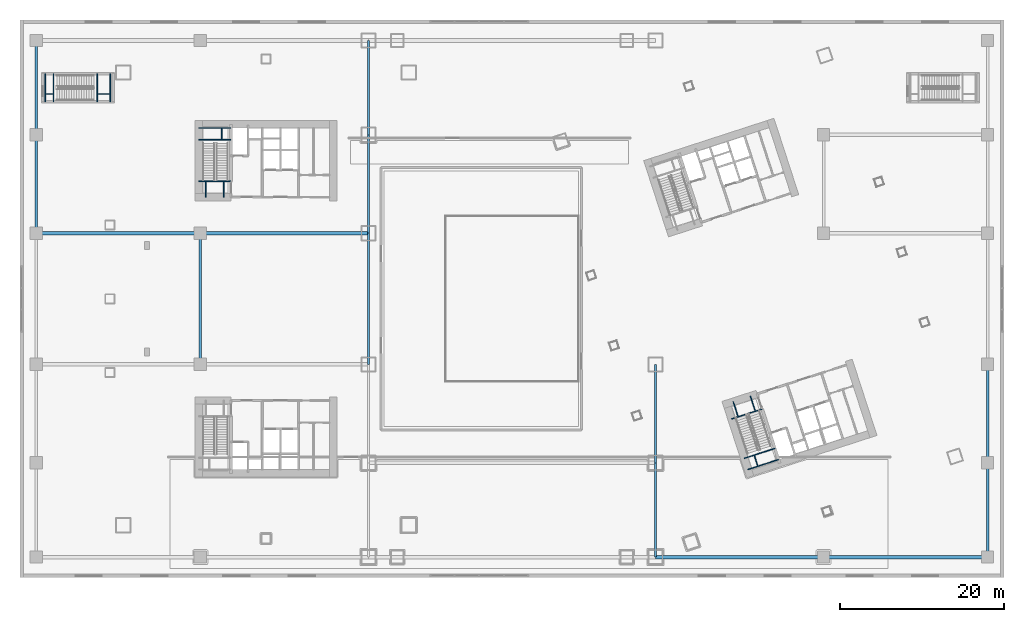
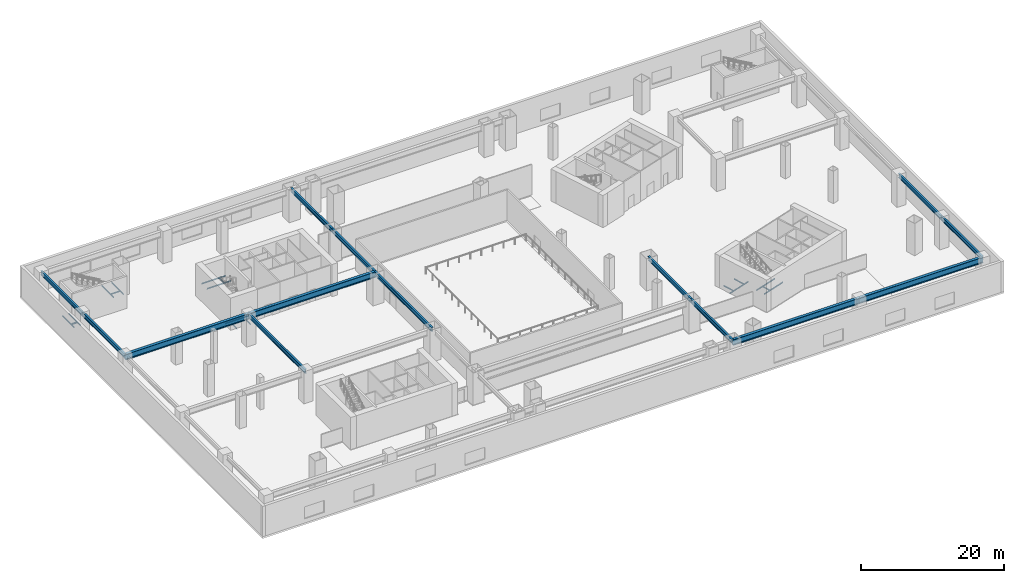
# One storey, part 13 of 35: 32 beams.
"""IFC4 building model written with IfcOpenShell, lengths in metres."""

from ifc_helpers import new_model, si_unit, direction, frame, origin, origin_2d, place, context, subcontext, project, spatial, i_section, extrude, material, material_profile, profile_set, type_object, element, save


model = new_model("IFC4")

# Units and contexts
model_context = context("Model", 3, precision=1e-05, world=origin(), true_north=direction((0.0, 1.0)))
body_context = subcontext(model_context, "Body", "Model", "MODEL_VIEW")
ifc_project = project(units=[si_unit("LENGTHUNIT", "METRE"), si_unit("AREAUNIT", "SQUARE_METRE"), si_unit("VOLUMEUNIT", "CUBIC_METRE"), si_unit("PLANEANGLEUNIT", "RADIAN"), si_unit("MASSUNIT", "GRAM", prefix="KILO")], contexts=[model_context])

# Site, building, storey
site_placement = place(None, origin())
site = spatial("IfcSite", under=ifc_project, at=site_placement, CompositionType="ELEMENT")
building_placement = place(site_placement, origin())
building = spatial("IfcBuilding", under=site, at=building_placement, Name="Qiaolan Cultural Towers", CompositionType="ELEMENT")
storey_placement = place(building_placement, frame((0.0, 0.0, 6.0)))
storey = spatial("IfcBuildingStorey", under=building, at=storey_placement, Name="L01", CompositionType="ELEMENT", Elevation=6.0)

# Beams
ifc_material_1 = material(Name="Steel Q390GJB", Category="steel")
ifc_material_profile_1 = material_profile(ifc_material_1, i_section(OverallWidth=0.449951171875, OverallDepth=1.0, WebThickness=0.02392578125, FlangeThickness=0.0400390625, at=origin_2d()), Name="BH1000x450x24x40")
ifc_profile_set_1 = profile_set([ifc_material_profile_1], Name="Steel Q390GJB")
beam_type_1 = type_object("IfcBeamType", Name="BM-BH1000x450x24x40", PredefinedType="BEAM", material=ifc_profile_set_1)
beam_1_placement = place(storey_placement, frame((77.5, 2.5, 4.699951171875), z_axis=(1.0, 0.0, 0.0), x_axis=(0.0, 1.0, 0.0)))
element("IfcBeam", 1, at=beam_1_placement, inside=storey, type_object=beam_type_1, Name="L01 Podium Primary Girder Y=2.5", PredefinedType="BEAM", context=body_context, shape_type="SweptSolid", body=[
    extrude(i_section(OverallWidth=0.449951171875, OverallDepth=1.0, WebThickness=0.02392578125, FlangeThickness=0.0400390625, at=origin_2d()), origin(), (0.0, 0.0, 1.0), 20.5),
])
for number, where, z_axis, x_axis, name in (
    (2, (98.0, 2.5, 4.699951171875), (1.0, 0.0, 0.0), (0.0, 1.0, 0.0), "L01 Podium Primary Girder Y=2.5"),
    (3, (2.0, 42.0, 4.699951171875), (1.0, 0.0, 0.0), (0.0, 1.0, 0.0), "L01 Podium Primary Girder Y=42.0"),
):
    element("IfcBeam", number, at=place(storey_placement, frame(where, z_axis=z_axis, x_axis=x_axis)), inside=storey, type_object=beam_type_1, Name=name, PredefinedType="BEAM", context=body_context, shape_type="SweptSolid", body=[
        extrude(i_section(OverallWidth=0.449951171875, OverallDepth=1.0, WebThickness=0.02392578125, FlangeThickness=0.0400390625, at=origin_2d()), origin(), (0.0, 0.0, 1.0), 20.0),
    ])
beam_2_placement = place(storey_placement, frame((22.0, 42.0, 4.699951171875), z_axis=(1.0, 0.0, 0.0), x_axis=(0.0, 1.0, 0.0)))
element("IfcBeam", 4, at=beam_2_placement, inside=storey, type_object=beam_type_1, Name="L01 Podium Primary Girder Y=42.0", PredefinedType="BEAM", context=body_context, shape_type="SweptSolid", body=[
    extrude(i_section(OverallWidth=0.449951171875, OverallDepth=1.0, WebThickness=0.02392578125, FlangeThickness=0.0400390625, at=origin_2d()), origin(), (0.0, 0.0, 1.0), 20.5),
])
ifc_material_2 = material(Name="Steel Q355B", Category="steel")
ifc_material_profile_2 = material_profile(ifc_material_2, i_section(OverallWidth=0.300048828125, OverallDepth=0.699951171875, WebThickness=0.012939453125, FlangeThickness=0.02392578125, at=origin_2d()), Name="HN700x300x13x24")
ifc_profile_set_2 = profile_set([ifc_material_profile_2], Name="Steel Q355B")
beam_type_2 = type_object("IfcBeamType", Name="BM-HN700x300x13x24", PredefinedType="BEAM", material=ifc_profile_set_2)
beam_3_placement = place(storey_placement, frame((2.0, 42.0, 4.85009765625), z_axis=(0.0, 1.0, 0.0), x_axis=(-1.0, 0.0, 0.0)))
element("IfcBeam", 5, at=beam_3_placement, inside=storey, type_object=beam_type_2, Name="L01 Podium Transverse Beam X=2.0", PredefinedType="BEAM", context=body_context, shape_type="SweptSolid", body=[
    extrude(i_section(OverallWidth=0.300048828125, OverallDepth=0.699951171875, WebThickness=0.012939453125, FlangeThickness=0.02392578125, at=origin_2d()), origin(), (0.0, 0.0, 1.0), 12.0),
])
beam_4_placement = place(storey_placement, frame((2.0, 54.0, 4.85009765625), z_axis=(0.0, 1.0, 0.0), x_axis=(-1.0, 0.0, 0.0)))
element("IfcBeam", 6, at=beam_4_placement, inside=storey, type_object=beam_type_2, Name="L01 Podium Transverse Beam X=2.0", PredefinedType="BEAM", context=body_context, shape_type="SweptSolid", body=[
    extrude(i_section(OverallWidth=0.300048828125, OverallDepth=0.699951171875, WebThickness=0.012939453125, FlangeThickness=0.02392578125, at=origin_2d()), origin(), (0.0, 0.0, 1.0), 11.5),
])
for number, where, z_axis, x_axis, name in (
    (7, (22.0, 26.0, 4.85009765625), (0.0, 1.0, 0.0), (-1.0, 0.0, 0.0), "L01 Podium Transverse Beam X=22.0"),
    (8, (42.5, 26.0, 4.85009765625), (0.0, 1.0, 0.0), (-1.0, 0.0, 0.0), "L01 Podium Transverse Beam X=42.5"),
):
    element("IfcBeam", number, at=place(storey_placement, frame(where, z_axis=z_axis, x_axis=x_axis)), inside=storey, type_object=beam_type_2, Name=name, PredefinedType="BEAM", context=body_context, shape_type="SweptSolid", body=[
        extrude(i_section(OverallWidth=0.300048828125, OverallDepth=0.699951171875, WebThickness=0.012939453125, FlangeThickness=0.02392578125, at=origin_2d()), origin(), (0.0, 0.0, 1.0), 16.0),
    ])
beam_5_placement = place(storey_placement, frame((42.5, 42.0, 4.85009765625), z_axis=(0.0, 1.0, 0.0), x_axis=(-1.0, 0.0, 0.0)))
element("IfcBeam", 9, at=beam_5_placement, inside=storey, type_object=beam_type_2, Name="L01 Podium Transverse Beam X=42.5", PredefinedType="BEAM", context=body_context, shape_type="SweptSolid", body=[
    extrude(i_section(OverallWidth=0.300048828125, OverallDepth=0.699951171875, WebThickness=0.012939453125, FlangeThickness=0.02392578125, at=origin_2d()), origin(), (0.0, 0.0, 1.0), 12.0),
])
for number, where, z_axis, x_axis, name in (
    (10, (42.5, 54.0, 4.85009765625), (0.0, 1.0, 0.0), (-1.0, 0.0, 0.0), "L01 Podium Transverse Beam X=42.5"),
    (11, (77.5, 2.5, 4.85009765625), (0.0, 1.0, 0.0), (-1.0, 0.0, 0.0), "L01 Podium Transverse Beam X=77.5"),
):
    element("IfcBeam", number, at=place(storey_placement, frame(where, z_axis=z_axis, x_axis=x_axis)), inside=storey, type_object=beam_type_2, Name=name, PredefinedType="BEAM", context=body_context, shape_type="SweptSolid", body=[
        extrude(i_section(OverallWidth=0.300048828125, OverallDepth=0.699951171875, WebThickness=0.012939453125, FlangeThickness=0.02392578125, at=origin_2d()), origin(), (0.0, 0.0, 1.0), 11.5),
    ])
beam_6_placement = place(storey_placement, frame((77.5, 14.0, 4.85009765625), z_axis=(0.0, 1.0, 0.0), x_axis=(-1.0, 0.0, 0.0)))
element("IfcBeam", 12, at=beam_6_placement, inside=storey, type_object=beam_type_2, Name="L01 Podium Transverse Beam X=77.5", PredefinedType="BEAM", context=body_context, shape_type="SweptSolid", body=[
    extrude(i_section(OverallWidth=0.300048828125, OverallDepth=0.699951171875, WebThickness=0.012939453125, FlangeThickness=0.02392578125, at=origin_2d()), origin(), (0.0, 0.0, 1.0), 12.0),
])
beam_7_placement = place(storey_placement, frame((118.0, 2.5, 4.85009765625), z_axis=(0.0, 1.0, 0.0), x_axis=(-1.0, 0.0, 0.0)))
element("IfcBeam", 13, at=beam_7_placement, inside=storey, type_object=beam_type_2, Name="L01 Podium Transverse Beam X=118.0", PredefinedType="BEAM", context=body_context, shape_type="SweptSolid", body=[
    extrude(i_section(OverallWidth=0.300048828125, OverallDepth=0.699951171875, WebThickness=0.012939453125, FlangeThickness=0.02392578125, at=origin_2d()), origin(), (0.0, 0.0, 1.0), 11.5),
])
beam_8_placement = place(storey_placement, frame((118.0, 14.0, 4.85009765625), z_axis=(0.0, 1.0, 0.0), x_axis=(-1.0, 0.0, 0.0)))
element("IfcBeam", 14, at=beam_8_placement, inside=storey, type_object=beam_type_2, Name="L01 Podium Transverse Beam X=118.0", PredefinedType="BEAM", context=body_context, shape_type="SweptSolid", body=[
    extrude(i_section(OverallWidth=0.300048828125, OverallDepth=0.699951171875, WebThickness=0.012939453125, FlangeThickness=0.02392578125, at=origin_2d()), origin(), (0.0, 0.0, 1.0), 12.0),
])
ifc_material_3 = material(Name="Steel Q355B", Category="steel")
ifc_material_profile_3 = material_profile(ifc_material_3, i_section(OverallWidth=0.10009765625, OverallDepth=0.199951171875, WebThickness=0.005615234375, FlangeThickness=0.008056640625, at=origin_2d()), Name="HN200x100x5.5x8")
ifc_profile_set_3 = profile_set([ifc_material_profile_3], Name="Steel Q355B")
beam_type_3 = type_object("IfcBeamType", Name="BM-STTRIM-200", PredefinedType="BEAM", material=ifc_profile_set_3)
beam_9_placement = place(storey_placement, frame((21.800048828125, 48.340087890625, -0.4599609375), z_axis=(1.0, 0.0, 0.0), x_axis=(0.0, 1.0, 0.0)))
element("IfcBeam", 15, at=beam_9_placement, inside=storey, type_object=beam_type_3, Name="L01 ST-W2 Floor Landing Header Beam", PredefinedType="BEAM", context=body_context, shape_type="SweptSolid", body=[
    extrude(i_section(OverallWidth=0.10009765625, OverallDepth=0.199951171875, WebThickness=0.005615234375, FlangeThickness=0.008056640625, at=origin_2d()), origin(), (0.0, 0.0, 1.0), 3.919921875),
])
for number, where, z_axis, x_axis, name in (
    (16, (22.64990234375, 46.39990234375, -0.4599609375), (0.0, 1.0, 0.0), (-1.0, 0.0, 0.0), "L01 ST-W2 Floor Landing Stringer 1"),
    (17, (24.85009765625, 46.39990234375, -0.4599609375), (0.0, 1.0, 0.0), (-1.0, 0.0, 0.0), "L01 ST-W2 Floor Landing Stringer 2"),
):
    element("IfcBeam", number, at=place(storey_placement, frame(where, z_axis=z_axis, x_axis=x_axis)), inside=storey, type_object=beam_type_3, Name=name, PredefinedType="BEAM", context=body_context, shape_type="SweptSolid", body=[
        extrude(i_section(OverallWidth=0.10009765625, OverallDepth=0.199951171875, WebThickness=0.005615234375, FlangeThickness=0.008056640625, at=origin_2d()), origin(), (0.0, 0.0, 1.0), 1.940185546875),
    ])
for number, where, z_axis, x_axis, name in (
    (18, (21.800048828125, 53.388671875, 2.449951171875), (1.0, 0.0, 0.0), (0.0, 1.0, 0.0), "L01 ST-W2 Stair Landing Support Beam 1-1"),
    (19, (21.800048828125, 54.820068359375, 2.449951171875), (1.0, 0.0, 0.0), (0.0, 1.0, 0.0), "L01 ST-W2 Stair Landing Support Beam 1-2"),
):
    element("IfcBeam", number, at=place(storey_placement, frame(where, z_axis=z_axis, x_axis=x_axis)), inside=storey, type_object=beam_type_3, Name=name, PredefinedType="BEAM", context=body_context, shape_type="SweptSolid", body=[
        extrude(i_section(OverallWidth=0.10009765625, OverallDepth=0.199951171875, WebThickness=0.005615234375, FlangeThickness=0.008056640625, at=origin_2d()), origin(), (0.0, 0.0, 1.0), 3.919921875),
    ])
beam_10_placement = place(storey_placement, frame((24.610107421875, 53.388671875, 2.449951171875), z_axis=(0.0, 1.0, 0.0), x_axis=(-1.0, 0.0, 0.0)))
element("IfcBeam", 20, at=beam_10_placement, inside=storey, type_object=beam_type_3, Name="L01 ST-W2 Stair Landing Trimmer 1", PredefinedType="BEAM", context=body_context, shape_type="SweptSolid", body=[
    extrude(i_section(OverallWidth=0.10009765625, OverallDepth=0.199951171875, WebThickness=0.005615234375, FlangeThickness=0.008056640625, at=origin_2d()), origin(), (0.0, 0.0, 1.0), 1.431396484375),
])
beam_11_placement = place(storey_placement, frame((86.770751953125, 19.3447265625, -0.4599609375), z_axis=(0.951047798727, 0.309043823005, 0.0), x_axis=(-0.309043823005, 0.951047798727, 0.0)))
element("IfcBeam", 21, at=beam_11_placement, inside=storey, type_object=beam_type_3, Name="L01 ST-E1 Floor Landing Header Beam", PredefinedType="BEAM", context=body_context, shape_type="SweptSolid", body=[
    extrude(i_section(OverallWidth=0.10009765625, OverallDepth=0.199951171875, WebThickness=0.005615234375, FlangeThickness=0.008056640625, at=origin_2d()), origin(), (0.0, 0.0, 1.0), 3.919921875),
])
for number, where, z_axis, x_axis, name in (
    (22, (86.9794921875, 21.452392578125, -0.4599609375), (0.309083226701, -0.951034993558, 0.0), (0.951034993558, 0.309083226701, 0.0), "L01 ST-E1 Floor Landing Stringer 1"),
    (23, (89.07177734375, 22.13232421875, -0.4599609375), (0.309083226701, -0.951034993558, 0.0), (0.951034993558, 0.309083226701, 0.0), "L01 ST-E1 Floor Landing Stringer 2"),
):
    element("IfcBeam", number, at=place(storey_placement, frame(where, z_axis=z_axis, x_axis=x_axis)), inside=storey, type_object=beam_type_3, Name=name, PredefinedType="BEAM", context=body_context, shape_type="SweptSolid", body=[
        extrude(i_section(OverallWidth=0.10009765625, OverallDepth=0.199951171875, WebThickness=0.005615234375, FlangeThickness=0.008056640625, at=origin_2d()), origin(), (0.0, 0.0, 1.0), 1.93994140625),
    ])
for number, where, z_axis, x_axis, name in (
    (24, (88.330810546875, 14.543212890625, 2.449951171875), (0.951047798727, 0.309043823005, 0.0), (-0.309043823005, 0.951047798727, 0.0), "L01 ST-E1 Stair Landing Support Beam 1-1"),
    (25, (88.773193359375, 13.181884765625, 2.449951171875), (0.951047798727, 0.309043823005, 0.0), (-0.309043823005, 0.951047798727, 0.0), "L01 ST-E1 Stair Landing Support Beam 1-2"),
):
    element("IfcBeam", number, at=place(storey_placement, frame(where, z_axis=z_axis, x_axis=x_axis)), inside=storey, type_object=beam_type_3, Name=name, PredefinedType="BEAM", context=body_context, shape_type="SweptSolid", body=[
        extrude(i_section(OverallWidth=0.10009765625, OverallDepth=0.199951171875, WebThickness=0.005615234375, FlangeThickness=0.008056640625, at=origin_2d()), origin(), (0.0, 0.0, 1.0), 3.919921875),
    ])
beam_12_placement = place(storey_placement, frame((89.53857421875, 14.935546875, 2.449951171875), z_axis=(0.309105358644, -0.951027800465, 0.0), x_axis=(0.951027800465, 0.309105358644, 0.0)))
element("IfcBeam", 26, at=beam_12_placement, inside=storey, type_object=beam_type_3, Name="L01 ST-E1 Stair Landing Trimmer 1", PredefinedType="BEAM", context=body_context, shape_type="SweptSolid", body=[
    extrude(i_section(OverallWidth=0.10009765625, OverallDepth=0.199951171875, WebThickness=0.005615234375, FlangeThickness=0.008056640625, at=origin_2d()), origin(), (0.0, 0.0, 1.0), 1.43115234375),
])
for number, where, z_axis, x_axis, name in (
    (27, (3.080078125, 58.050048828125, -0.4599609375), (0.0, 1.0, 0.0), (-1.0, 0.0, 0.0), "L01 ST-P1 Floor Landing Beam 1"),
    (28, (4.080078125, 58.050048828125, -0.4599609375), (0.0, 1.0, 0.0), (-1.0, 0.0, 0.0), "L01 ST-P1 Floor Landing Beam 2"),
):
    element("IfcBeam", number, at=place(storey_placement, frame(where, z_axis=z_axis, x_axis=x_axis)), inside=storey, type_object=beam_type_3, Name=name, PredefinedType="BEAM", context=body_context, shape_type="SweptSolid", body=[
        extrude(i_section(OverallWidth=0.10009765625, OverallDepth=0.199951171875, WebThickness=0.005615234375, FlangeThickness=0.008056640625, at=origin_2d()), origin(), (0.0, 0.0, 1.0), 3.39990234375),
    ])
beam_13_placement = place(storey_placement, frame((3.080078125, 58.97509765625, -0.4599609375), z_axis=(1.0, 0.0, 0.0), x_axis=(0.0, 1.0, 0.0)))
element("IfcBeam", 29, at=beam_13_placement, inside=storey, type_object=beam_type_3, Name="L01 ST-P1 Floor Landing Trimmer", PredefinedType="BEAM", context=body_context, shape_type="SweptSolid", body=[
    extrude(i_section(OverallWidth=0.10009765625, OverallDepth=0.199951171875, WebThickness=0.005615234375, FlangeThickness=0.008056640625, at=origin_2d()), origin(), (0.0, 0.0, 1.0), 1.0),
])
for number, where, z_axis, x_axis, name in (
    (30, (9.438720703125, 58.050048828125, 2.449951171875), (0.0, 1.0, 0.0), (-1.0, 0.0, 0.0), "L01 ST-P1 Stair Landing Support Beam 1-1"),
    (31, (11.02001953125, 58.050048828125, 2.449951171875), (0.0, 1.0, 0.0), (-1.0, 0.0, 0.0), "L01 ST-P1 Stair Landing Support Beam 1-2"),
):
    element("IfcBeam", number, at=place(storey_placement, frame(where, z_axis=z_axis, x_axis=x_axis)), inside=storey, type_object=beam_type_3, Name=name, PredefinedType="BEAM", context=body_context, shape_type="SweptSolid", body=[
        extrude(i_section(OverallWidth=0.10009765625, OverallDepth=0.199951171875, WebThickness=0.005615234375, FlangeThickness=0.008056640625, at=origin_2d()), origin(), (0.0, 0.0, 1.0), 3.39990234375),
    ])
beam_14_placement = place(storey_placement, frame((9.438720703125, 58.97509765625, 2.449951171875), z_axis=(1.0, 0.0, 0.0), x_axis=(0.0, 1.0, 0.0)))
element("IfcBeam", 32, at=beam_14_placement, inside=storey, type_object=beam_type_3, Name="L01 ST-P1 Stair Landing Trimmer 1", PredefinedType="BEAM", context=body_context, shape_type="SweptSolid", body=[
    extrude(i_section(OverallWidth=0.10009765625, OverallDepth=0.199951171875, WebThickness=0.005615234375, FlangeThickness=0.008056640625, at=origin_2d()), origin(), (0.0, 0.0, 1.0), 1.581298828125),
])

save(model, "model.ifc")
